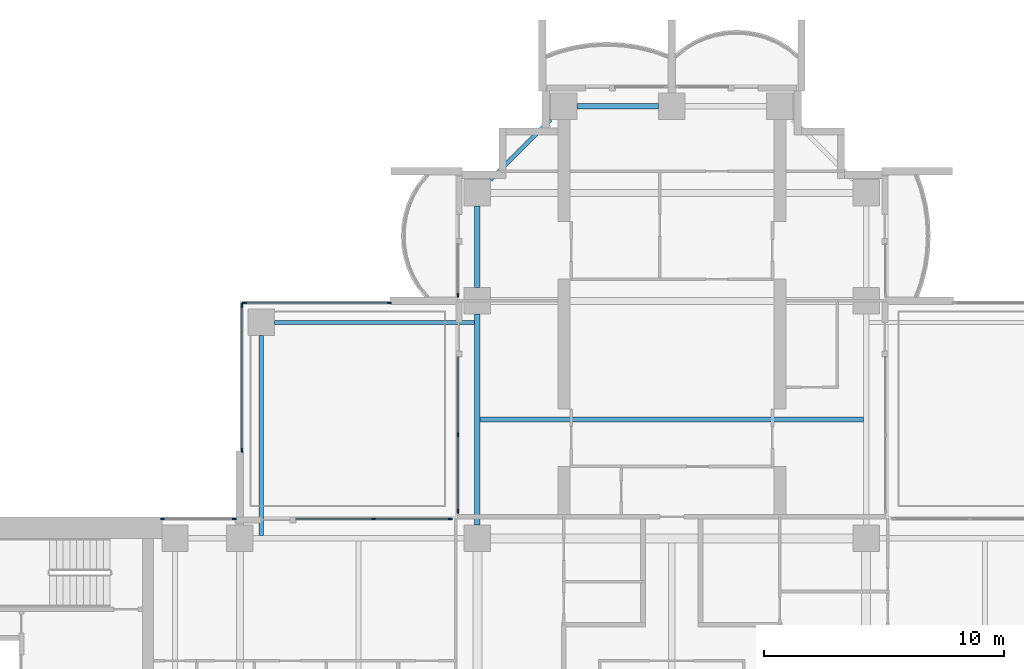
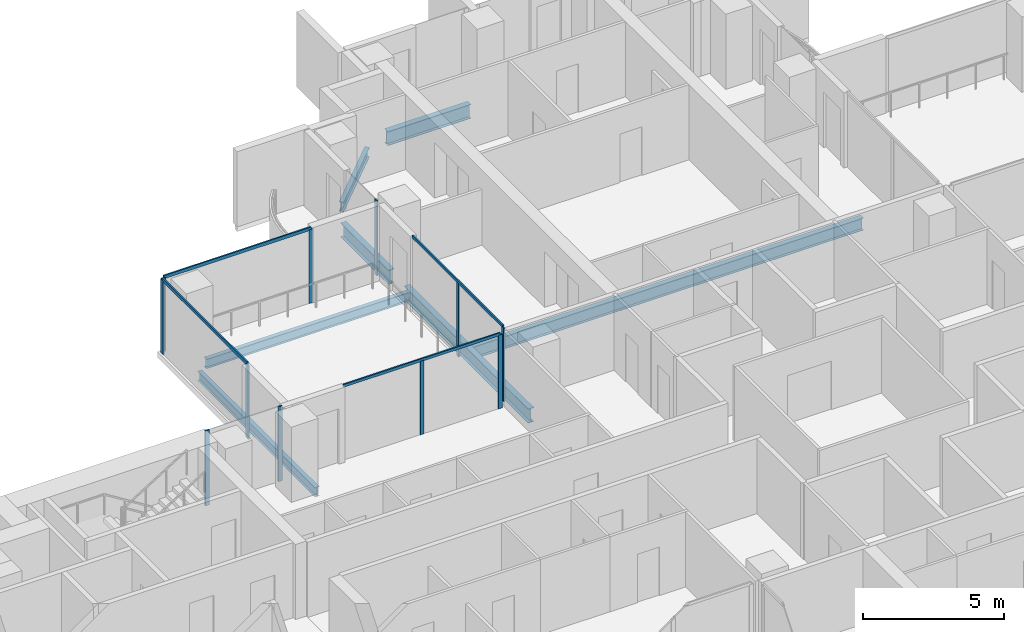
# One storey, part 5 of 18: 15 members, 7 beams, 6 elements without a shape of their own.
"""IFC4 building model written with IfcOpenShell, lengths in metres."""

from ifc_helpers import new_model, si_unit, direction, frame, origin, origin_2d, place, context, subcontext, project, spatial, rectangle, i_section, extrude, material, material_profile, profile_set, type_object, element, aggregate, save


model = new_model("IFC4")

# Units and contexts
model_context = context("Model", 3, precision=1e-05, world=origin(), true_north=direction((0.0, 1.0)))
body_context = subcontext(model_context, "Body", "Model", "MODEL_VIEW")
ifc_project = project(units=[si_unit("LENGTHUNIT", "METRE"), si_unit("AREAUNIT", "SQUARE_METRE"), si_unit("VOLUMEUNIT", "CUBIC_METRE"), si_unit("PLANEANGLEUNIT", "RADIAN"), si_unit("MASSUNIT", "GRAM", prefix="KILO")], contexts=[model_context])

# Site, building, storey
site_placement = place(None, origin())
site = spatial("IfcSite", under=ifc_project, at=site_placement, CompositionType="ELEMENT")
building_placement = place(site_placement, origin())
building = spatial("IfcBuilding", under=site, at=building_placement, Name="Perihelion Cross Residences", CompositionType="ELEMENT")
storey_placement = place(building_placement, frame((0.0, 0.0, 123.39990234375)))
storey = spatial("IfcBuildingStorey", under=building, at=storey_placement, Name="L29", CompositionType="ELEMENT", Elevation=123.39990234375)

# Curtain wall, member
ifc_material_1 = material(Name="Bronze anodised aluminium, tinted glazing", Category="aluminium")
curtain_wall_type_1 = type_object("IfcCurtainWallType", Name="CW1", PredefinedType="NOTDEFINED", material=ifc_material_1)
curtain_wall_1_placement = place(storey_placement, origin())
curtain_wall_1 = element("IfcCurtainWall", 1, at=curtain_wall_1_placement, inside=storey, type_object=curtain_wall_type_1, Name="Curtain wall CW1 L29 north side west bay 1", PredefinedType="NOTDEFINED")
ifc_material_2 = material(Name="Bronze anodised aluminium", Category="aluminium")
ifc_material_profile_1 = material_profile(ifc_material_2, rectangle(XDim=0.06005859375, YDim=0.159912109375, at=origin_2d()), Name="CW1 mullion")
ifc_profile_set_1 = profile_set([ifc_material_profile_1], Name="Bronze anodised aluminium")
member_type_1 = type_object("IfcMemberType", Name="CW1 mullion", PredefinedType="MULLION", material=ifc_profile_set_1)
member_1_placement = place(storey_placement, frame((-8.89990234375, 18.22998046875, 0.0), z_axis=(0.0, 0.0, 1.0), x_axis=(1.0, 0.0, 0.0)))
member_1 = element("IfcMember", 2, at=member_1_placement, type_object=member_type_1, Name="CW1 mullion 2", PredefinedType="MULLION", context=body_context, shape_type="SweptSolid", body=[
    extrude(rectangle(XDim=0.06005859375, YDim=0.159912109375, at=origin_2d()), origin(), (0.0, 0.0, 1.0), 3.25),
])
aggregate(curtain_wall_1, [member_1])

# Curtain wall, members
curtain_wall_2_placement = place(storey_placement, origin())
curtain_wall_2 = element("IfcCurtainWall", 3, at=curtain_wall_2_placement, inside=storey, type_object=curtain_wall_type_1, Name="Curtain wall CW1 L29 north side west bay 2", PredefinedType="NOTDEFINED")
member_2_placement = place(storey_placement, frame((-8.89990234375, 12.425048828125, 0.0), z_axis=(0.0, 0.0, 1.0), x_axis=(1.0, 0.0, 0.0)))
member_2 = element("IfcMember", 4, at=member_2_placement, type_object=member_type_1, Name="CW1 mullion 2", PredefinedType="MULLION", context=body_context, shape_type="SweptSolid", body=[
    extrude(rectangle(XDim=0.06005859375, YDim=0.159912109375, at=origin_2d()), origin(), (0.0, 0.0, 1.0), 3.190185546875),
])
member_3_placement = place(storey_placement, frame((-8.89990234375, 9.22998046875, 0.0), z_axis=(0.0, 0.0, 1.0), x_axis=(1.0, 0.0, 0.0)))
member_3 = element("IfcMember", 5, at=member_3_placement, type_object=member_type_1, Name="CW1 mullion 3", PredefinedType="MULLION", context=body_context, shape_type="SweptSolid", body=[
    extrude(rectangle(XDim=0.06005859375, YDim=0.159912109375, at=origin_2d()), origin(), (0.0, 0.0, 1.0), 3.190185546875),
])

curtain_wall_3_placement = place(storey_placement, origin())
curtain_wall_3 = element("IfcCurtainWall", 6, at=curtain_wall_3_placement, inside=storey, type_object=curtain_wall_type_1, Name="Curtain wall CW1 L29 west side north bay 1", PredefinedType="NOTDEFINED")
member_4_placement = place(storey_placement, frame((-9.22998046875, 8.89990234375, 0.0), z_axis=(0.0, 0.0, 1.0), x_axis=(0.0, -1.0, 0.0)))
member_4 = element("IfcMember", 7, at=member_4_placement, type_object=member_type_1, Name="CW1 mullion 1", PredefinedType="MULLION", context=body_context, shape_type="SweptSolid", body=[
    extrude(rectangle(XDim=0.06005859375, YDim=0.159912109375, at=origin_2d()), origin(), (0.0, 0.0, 1.0), 3.190185546875),
])
member_5_placement = place(storey_placement, frame((-12.425048828125, 8.89990234375, 0.0), z_axis=(0.0, 0.0, 1.0), x_axis=(0.0, -1.0, 0.0)))
member_5 = element("IfcMember", 8, at=member_5_placement, type_object=member_type_1, Name="CW1 mullion 2", PredefinedType="MULLION", context=body_context, shape_type="SweptSolid", body=[
    extrude(rectangle(XDim=0.06005859375, YDim=0.159912109375, at=origin_2d()), origin(), (0.0, 0.0, 1.0), 3.190185546875),
])

curtain_wall_4_placement = place(storey_placement, origin())
curtain_wall_4 = element("IfcCurtainWall", 9, at=curtain_wall_4_placement, inside=storey, type_object=curtain_wall_type_1, Name="Curtain wall CW1 L29 west side north bay 2", PredefinedType="NOTDEFINED")
member_6_placement = place(storey_placement, frame((-18.22998046875, 8.89990234375, 0.0), z_axis=(0.0, 0.0, 1.0), x_axis=(0.0, -1.0, 0.0)))
member_6 = element("IfcMember", 10, at=member_6_placement, type_object=member_type_1, Name="CW1 mullion 1", PredefinedType="MULLION", context=body_context, shape_type="SweptSolid", body=[
    extrude(rectangle(XDim=0.06005859375, YDim=0.159912109375, at=origin_2d()), origin(), (0.0, 0.0, 1.0), 3.25),
])
member_7_placement = place(storey_placement, frame((-21.219970703125, 8.89990234375, 0.0), z_axis=(0.0, 0.0, 1.0), x_axis=(0.0, -1.0, 0.0)))
member_7 = element("IfcMember", 11, at=member_7_placement, type_object=member_type_1, Name="CW1 mullion 2", PredefinedType="MULLION", context=body_context, shape_type="SweptSolid", body=[
    extrude(rectangle(XDim=0.06005859375, YDim=0.159912109375, at=origin_2d()), origin(), (0.0, 0.0, 1.0), 3.25),
])
aggregate(curtain_wall_4, [member_6, member_7])

# Member
ifc_material_3 = material(Name="Bronze anodised aluminium", Category="aluminium")
ifc_material_profile_2 = material_profile(ifc_material_3, rectangle(XDim=0.06005859375, YDim=0.1201171875, at=origin_2d()), Name="CW1 transom")
ifc_profile_set_2 = profile_set([ifc_material_profile_2], Name="Bronze anodised aluminium")
member_type_2 = type_object("IfcMemberType", Name="CW1 transom", PredefinedType="USERDEFINED", material=ifc_profile_set_2)
member_8_placement = place(storey_placement, frame((-8.89990234375, 15.64990234375, 3.22021484375), z_axis=(0.0, -1.0, 0.0), x_axis=(1.0, 0.0, 0.0)))
member_8 = element("IfcMember", 12, at=member_8_placement, type_object=member_type_2, Name="CW1 head transom", ObjectType="TRANSOM", PredefinedType="USERDEFINED", context=body_context, shape_type="SweptSolid", body=[
    extrude(rectangle(XDim=0.06005859375, YDim=0.1201171875, at=origin_2d()), origin(), (0.0, 0.0, 1.0), 6.419921875),
])

aggregate(curtain_wall_2, [member_2, member_3, member_8])

member_9_placement = place(storey_placement, frame((-9.22998046875, 8.89990234375, 3.22021484375), z_axis=(-1.0, 0.0, 0.0), x_axis=(0.0, -1.0, 0.0)))
member_9 = element("IfcMember", 13, at=member_9_placement, type_object=member_type_2, Name="CW1 head transom", ObjectType="TRANSOM", PredefinedType="USERDEFINED", context=body_context, shape_type="SweptSolid", body=[
    extrude(rectangle(XDim=0.06005859375, YDim=0.1201171875, at=origin_2d()), origin(), (0.0, 0.0, 1.0), 6.419921875),
])

aggregate(curtain_wall_3, [member_4, member_5, member_9])

# Curtain wall, members
ifc_material_4 = material(Name="Bronze anodised aluminium, tinted glazing", Category="aluminium")
curtain_wall_type_2 = type_object("IfcCurtainWallType", Name="CW4", PredefinedType="NOTDEFINED", material=ifc_material_4)
curtain_wall_5_placement = place(storey_placement, origin())
curtain_wall_5 = element("IfcCurtainWall", 14, at=curtain_wall_5_placement, inside=storey, type_object=curtain_wall_type_2, Name="Curtain wall CW4 L29 pocket north-west 1 1", PredefinedType="NOTDEFINED")
ifc_material_5 = material(Name="Bronze anodised aluminium", Category="aluminium")
ifc_material_profile_3 = material_profile(ifc_material_5, rectangle(XDim=0.06005859375, YDim=0.179931640625, at=origin_2d()), Name="CW4 mullion")
ifc_profile_set_3 = profile_set([ifc_material_profile_3], Name="Bronze anodised aluminium")
member_type_3 = type_object("IfcMemberType", Name="CW4 mullion", PredefinedType="MULLION", material=ifc_profile_set_3)
member_10_placement = place(storey_placement, frame((-17.89990234375, 11.77001953125, 0.0), z_axis=(0.0, 0.0, 1.0), x_axis=(-1.0, 0.0, 0.0)))
member_10 = element("IfcMember", 15, at=member_10_placement, type_object=member_type_3, Name="CW4 mullion 1", PredefinedType="MULLION", context=body_context, shape_type="SweptSolid", body=[
    extrude(rectangle(XDim=0.06005859375, YDim=0.179931640625, at=origin_2d()), origin(), (0.0, 0.0, 1.0), 3.190185546875),
])
member_11_placement = place(storey_placement, frame((-17.89990234375, 17.800048828125, 0.0), z_axis=(0.0, 0.0, 1.0), x_axis=(-1.0, 0.0, 0.0)))
member_11 = element("IfcMember", 16, at=member_11_placement, type_object=member_type_3, Name="CW4 mullion 2", PredefinedType="MULLION", context=body_context, shape_type="SweptSolid", body=[
    extrude(rectangle(XDim=0.06005859375, YDim=0.179931640625, at=origin_2d()), origin(), (0.0, 0.0, 1.0), 3.190185546875),
])

curtain_wall_6_placement = place(storey_placement, origin())
curtain_wall_6 = element("IfcCurtainWall", 17, at=curtain_wall_6_placement, inside=storey, type_object=curtain_wall_type_2, Name="Curtain wall CW4 L29 pocket north-west 1 2", PredefinedType="NOTDEFINED")
member_12_placement = place(storey_placement, frame((-17.800048828125, 17.89990234375, 0.0), z_axis=(0.0, 0.0, 1.0), x_axis=(0.0, 1.0, 0.0)))
member_12 = element("IfcMember", 18, at=member_12_placement, type_object=member_type_3, Name="CW4 mullion 1", PredefinedType="MULLION", context=body_context, shape_type="SweptSolid", body=[
    extrude(rectangle(XDim=0.06005859375, YDim=0.179931640625, at=origin_2d()), origin(), (0.0, 0.0, 1.0), 3.190185546875),
])
member_13_placement = place(storey_placement, frame((-11.77001953125, 17.89990234375, 0.0), z_axis=(0.0, 0.0, 1.0), x_axis=(0.0, 1.0, 0.0)))
member_13 = element("IfcMember", 19, at=member_13_placement, type_object=member_type_3, Name="CW4 mullion 2", PredefinedType="MULLION", context=body_context, shape_type="SweptSolid", body=[
    extrude(rectangle(XDim=0.06005859375, YDim=0.179931640625, at=origin_2d()), origin(), (0.0, 0.0, 1.0), 3.190185546875),
])

# Member
ifc_material_6 = material(Name="Bronze anodised aluminium", Category="aluminium")
ifc_material_profile_4 = material_profile(ifc_material_6, rectangle(XDim=0.06005859375, YDim=0.139892578125, at=origin_2d()), Name="CW4 transom")
ifc_profile_set_4 = profile_set([ifc_material_profile_4], Name="Bronze anodised aluminium")
member_type_4 = type_object("IfcMemberType", Name="CW4 transom", PredefinedType="USERDEFINED", material=ifc_profile_set_4)
member_14_placement = place(storey_placement, frame((-17.89990234375, 11.77001953125, 3.22021484375), z_axis=(0.0, 1.0, 0.0), x_axis=(-1.0, 0.0, 0.0)))
member_14 = element("IfcMember", 20, at=member_14_placement, type_object=member_type_4, Name="CW4 head transom", ObjectType="TRANSOM", PredefinedType="USERDEFINED", context=body_context, shape_type="SweptSolid", body=[
    extrude(rectangle(XDim=0.06005859375, YDim=0.139892578125, at=origin_2d()), origin(), (0.0, 0.0, 1.0), 6.030029296875),
])

aggregate(curtain_wall_5, [member_10, member_11, member_14])

member_15_placement = place(storey_placement, frame((-17.800048828125, 17.89990234375, 3.22021484375), z_axis=(1.0, 0.0, 0.0), x_axis=(0.0, 1.0, 0.0)))
member_15 = element("IfcMember", 21, at=member_15_placement, type_object=member_type_4, Name="CW4 head transom", ObjectType="TRANSOM", PredefinedType="USERDEFINED", context=body_context, shape_type="SweptSolid", body=[
    extrude(rectangle(XDim=0.06005859375, YDim=0.139892578125, at=origin_2d()), origin(), (0.0, 0.0, 1.0), 6.030029296875),
])

aggregate(curtain_wall_6, [member_12, member_13, member_15])

# Beams
ifc_material_7 = material(Name="Steel S355", Category="steel")
ifc_material_profile_5 = material_profile(ifc_material_7, i_section(OverallWidth=0.177978515625, OverallDepth=0.406005859375, WebThickness=0.0078125, FlangeThickness=0.0126953125, at=origin_2d()), Name="W410x60")
ifc_profile_set_5 = profile_set([ifc_material_profile_5], Name="Steel S355")
beam_type_1 = type_object("IfcBeamType", Name="Core edge beam W410x60", PredefinedType="BEAM", material=ifc_profile_set_5)
for number, where, z_axis, x_axis, name in (
    (22, (-17.10009765625, 8.214599609375, -0.452880859375), (0.0, 1.0, 0.0), (-1.0, 0.0, 0.0), "Core edge beam TB2 L29 corner no. 3"),
    (23, (-8.214599609375, 17.10009765625, -0.452880859375), (-1.0, 0.0, 0.0), (0.0, -1.0, 0.0), "Core edge beam TB2 L29 corner no. 4"),
):
    element("IfcBeam", number, at=place(storey_placement, frame(where, z_axis=z_axis, x_axis=x_axis)), inside=storey, type_object=beam_type_1, Name=name, PredefinedType="BEAM", context=body_context, shape_type="SweptSolid", body=[
        extrude(i_section(OverallWidth=0.177978515625, OverallDepth=0.406005859375, WebThickness=0.0078125, FlangeThickness=0.0126953125, at=origin_2d()), origin(), (0.0, 0.0, 1.0), 8.33544921875),
    ])
ifc_material_8 = material(Name="Steel S355", Category="steel")
ifc_material_profile_6 = material_profile(ifc_material_8, i_section(OverallWidth=0.22900390625, OverallDepth=0.612060546875, WebThickness=0.011962890625, FlangeThickness=0.01953125, at=origin_2d()), Name="W610x125")
ifc_profile_set_6 = profile_set([ifc_material_profile_6], Name="Steel S355")
beam_type_2 = type_object("IfcBeamType", Name="Edge beam W610x125", PredefinedType="SPANDREL", material=ifc_profile_set_6)
for number, where, z_axis, x_axis, name in (
    (24, (-0.550048828125, 26.10009765625, -0.555908203125), (-1.0, 0.0, 0.0), (0.0, -1.0, 0.0), "Edge beam SB3 L29 no. 10"),
    (25, (-8.10009765625, 21.949951171875, -0.555908203125), (0.0, -1.0, 0.0), (1.0, 0.0, 0.0), "Edge beam SB3 L29 no. 7"),
):
    element("IfcBeam", number, at=place(storey_placement, frame(where, z_axis=z_axis, x_axis=x_axis)), inside=storey, type_object=beam_type_2, Name=name, PredefinedType="SPANDREL", context=body_context, shape_type="SweptSolid", body=[
        extrude(i_section(OverallWidth=0.22900390625, OverallDepth=0.612060546875, WebThickness=0.011962890625, FlangeThickness=0.01953125, at=origin_2d()), origin(), (0.0, 0.0, 1.0), 3.39990234375),
    ])
beam_1_placement = place(storey_placement, frame((-8.10009765625, 17.449951171875, -0.555908203125), z_axis=(0.0, -1.0, 0.0), x_axis=(1.0, 0.0, 0.0)))
element("IfcBeam", 26, at=beam_1_placement, inside=storey, type_object=beam_type_2, Name="Edge beam SB3 L29 no. 6", PredefinedType="SPANDREL", context=body_context, shape_type="SweptSolid", body=[
    extrude(i_section(OverallWidth=0.22900390625, OverallDepth=0.612060546875, WebThickness=0.011962890625, FlangeThickness=0.01953125, at=origin_2d()), origin(), (0.0, 0.0, 1.0), 8.800048828125),
])
ifc_material_9 = material(Name="Steel S355", Category="steel")
ifc_material_profile_7 = material_profile(ifc_material_9, i_section(OverallWidth=0.208984375, OverallDepth=0.532958984375, WebThickness=0.01025390625, FlangeThickness=0.015625, at=origin_2d()), Name="W530x92")
ifc_profile_set_7 = profile_set([ifc_material_profile_7], Name="Steel S355")
beam_type_3 = type_object("IfcBeamType", Name="Floor joist W530x92", PredefinedType="JOIST", material=ifc_profile_set_7)
beam_2_placement = place(storey_placement, frame((-7.985595703125, 13.050048828125, -0.516357421875), z_axis=(1.0, 0.0, 0.0), x_axis=(0.0, 1.0, 0.0)))
element("IfcBeam", 27, at=beam_2_placement, inside=storey, type_object=beam_type_3, Name="Joist J4 L29 no. 4", PredefinedType="JOIST", context=body_context, shape_type="SweptSolid", body=[
    extrude(i_section(OverallWidth=0.208984375, OverallDepth=0.532958984375, WebThickness=0.01025390625, FlangeThickness=0.015625, at=origin_2d()), origin(), (0.0, 0.0, 1.0), 15.97119140625),
])
ifc_material_10 = material(Name="Steel S355", Category="steel")
ifc_material_profile_8 = material_profile(ifc_material_10, i_section(OverallWidth=0.180908203125, OverallDepth=0.4169921875, WebThickness=0.010986328125, FlangeThickness=0.018310546875, at=origin_2d()), Name="W410x85")
ifc_profile_set_8 = profile_set([ifc_material_profile_8], Name="Steel S355")
beam_type_4 = type_object("IfcBeamType", Name="Serration edge beam W410x85", PredefinedType="BEAM", material=ifc_profile_set_8)
beam_3_placement = place(storey_placement, frame((-5.050048828125, 25.550048828125, -0.45849609375), z_axis=(-0.707106781187, -0.707106781187, 0.0), x_axis=(0.707106781187, -0.707106781187, 0.0)))
element("IfcBeam", 28, at=beam_3_placement, inside=storey, type_object=beam_type_4, Name="Serration edge beam EB3 L29 no. 1", PredefinedType="BEAM", context=body_context, shape_type="SweptSolid", body=[
    extrude(i_section(OverallWidth=0.180908203125, OverallDepth=0.4169921875, WebThickness=0.010986328125, FlangeThickness=0.018310546875, at=origin_2d()), origin(), (0.0, 0.0, 1.0), 3.53564453125),
])

save(model, "model.ifc")
